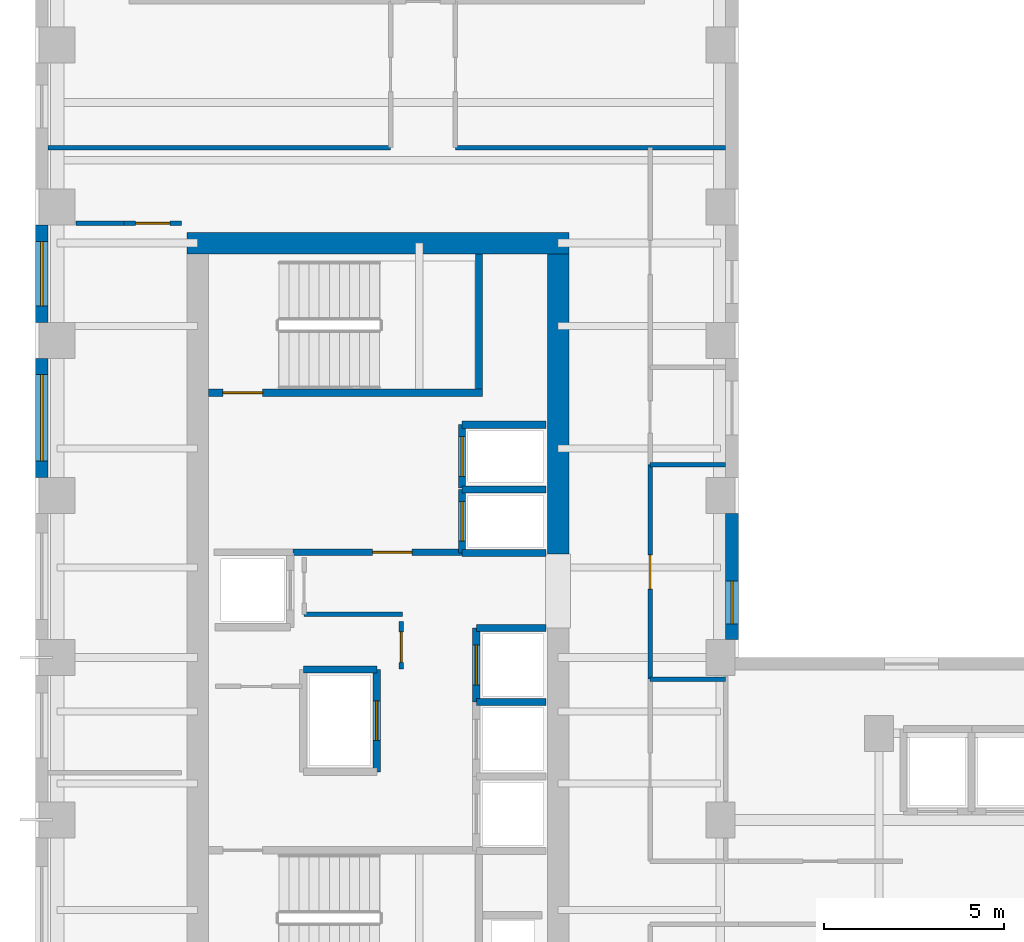
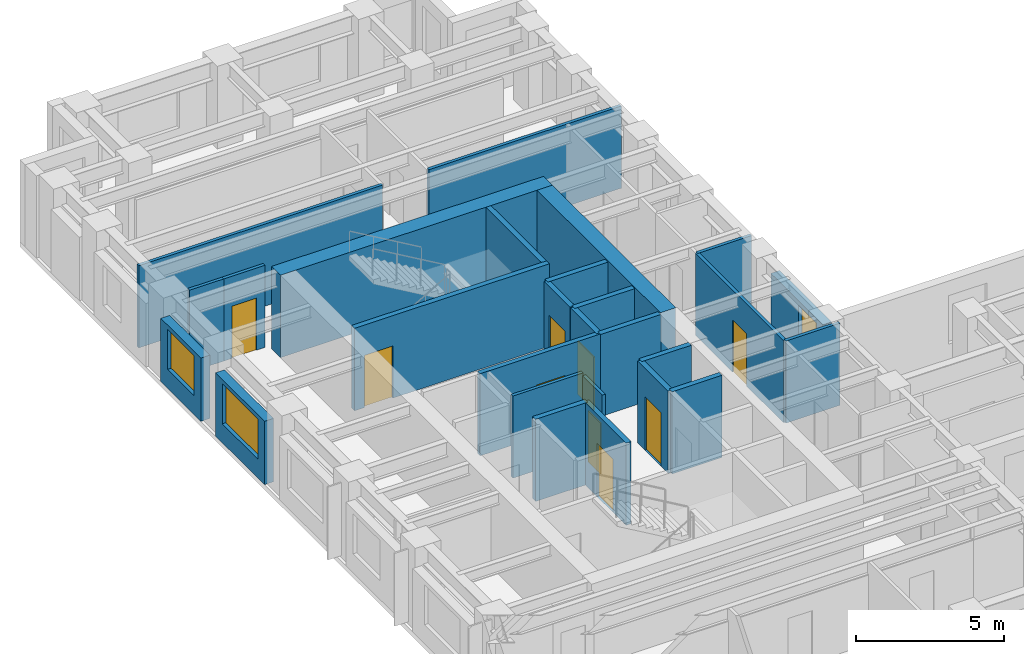
# One storey, part 5 of 12: 27 walls, 9 doors, 3 windows, 12 openings.
"""IFC4 building model written with IfcOpenShell, lengths in metres."""

import ifcopenshell
import ifcopenshell.guid

model = None  # the IFC model being written
_history = None  # IfcOwnerHistory: only IFC2X3 demands one
_inside = {}  # id of a spatial element -> (the spatial element, [elements in it])
_under = {}  # id of a project, library or spatial element -> (it, [spatial elements below it])
_declared = {}  # id of a project -> (the project, [libraries it declares])
_typed = {}  # id of a type object -> (the type object, [elements of that type])
_made_of = {}  # id of a material, layer set ... -> (it, [elements and type objects made of it])


def new_model(schema):
    """Start an empty IFC model of exactly this schema.

    Asked for "IFC4X3", IfcOpenShell would pick the latest addendum, in which some entities
    have other attributes; the version numbers below select the first issue.
    IFC2X3 requires an IfcOwnerHistory on every rooted entity: one is made here for all.
    """
    global model, _history
    if schema == "IFC4X3":
        model = ifcopenshell.file(schema_version=(4, 3, 0, 0))
    else:
        model = ifcopenshell.file(schema=schema)
    _inside.clear()
    _under.clear()
    _declared.clear()
    _typed.clear()
    _made_of.clear()
    _history = None
    if model.schema == "IFC2X3":
        org = make("IfcOrganization", Name="unknown")
        user = make(
            "IfcPersonAndOrganization",
            ThePerson=make("IfcPerson", FamilyName="unknown"),
            TheOrganization=org,
        )
        app = make(
            "IfcApplication",
            ApplicationDeveloper=org,
            Version="unknown",
            ApplicationFullName="unknown",
            ApplicationIdentifier="unknown",
        )
        _history = make(
            "IfcOwnerHistory",
            OwningUser=user,
            OwningApplication=app,
            ChangeAction="ADDED",
            CreationDate=0,
        )
    return model


def make(cls, **values):
    """One entity of the class cls with the attributes given. An attribute that is None is left unset."""
    return model.create_entity(
        cls, **{name: value for name, value in values.items() if value is not None}
    )


def rooted(cls, **values):
    """An entity with a GlobalId (a new one), such as an element, a storey or a relation."""
    return make(cls, GlobalId=ifcopenshell.guid.new(), OwnerHistory=_history, **values)


def si_unit(unit_type, name, prefix=None):
    """IfcSIUnit, for example si_unit("LENGTHUNIT", "METRE", prefix="MILLI")."""
    return make("IfcSIUnit", UnitType=unit_type, Prefix=prefix, Name=name)


def assignment(units):
    """IfcUnitAssignment: the units of a project."""
    return None if units is None else make("IfcUnitAssignment", Units=units)


def point(xyz):
    """IfcCartesianPoint."""
    return None if xyz is None else make("IfcCartesianPoint", Coordinates=xyz)


def direction(xyz):
    """IfcDirection."""
    return None if xyz is None else make("IfcDirection", DirectionRatios=xyz)


def frame(location, z_axis=None, x_axis=None):
    """IfcAxis2Placement3D, a coordinate frame: its origin and axes. An axis left out is left unset."""
    return make(
        "IfcAxis2Placement3D",
        Location=point(location),
        Axis=direction(z_axis),
        RefDirection=direction(x_axis),
    )


def frame_2d(location, x_axis=None):
    """IfcAxis2Placement2D, a coordinate frame in the plane: its origin and x axis."""
    return make(
        "IfcAxis2Placement2D", Location=point(location), RefDirection=direction(x_axis)
    )


def origin():
    """The frame at (0, 0, 0) with its axes left unset."""
    return frame((0.0, 0.0, 0.0))


def place(relative_to, where):
    """IfcLocalPlacement: puts the frame where relative to a parent placement (None: the world)."""
    return make(
        "IfcLocalPlacement", PlacementRelTo=relative_to, RelativePlacement=where
    )


def context(
    kind, dimensions, precision=None, world=None, true_north=None, identifier=None
):
    """IfcGeometricRepresentationContext, for example the 3D "Model" context."""
    return make(
        "IfcGeometricRepresentationContext",
        ContextIdentifier=identifier,
        ContextType=kind,
        CoordinateSpaceDimension=dimensions,
        Precision=precision,
        WorldCoordinateSystem=world,
        TrueNorth=true_north,
    )


def subcontext(parent, identifier, kind, view, scale=None):
    """IfcGeometricRepresentationSubContext, for example "Body" below "Model"."""
    return make(
        "IfcGeometricRepresentationSubContext",
        ContextIdentifier=identifier,
        ContextType=kind,
        ParentContext=parent,
        TargetScale=scale,
        TargetView=view,
    )


def project(units=None, contexts=None):
    """IfcProject with its units and contexts."""
    return rooted(
        "IfcProject",
        Name="project",
        RepresentationContexts=contexts,
        UnitsInContext=assignment(units),
    )


def spatial(cls, under=None, at=None, **own):
    """A site, building, storey or space (cls), placed at a placement, below another one or the project."""
    s = rooted(cls, ObjectPlacement=at, **own)
    if under is not None:
        _under.setdefault(under.id(), (under, []))[1].append(s)
    return s


def profile(cls, at=None, kind="AREA", **sizes):
    """A parametric profile (cls). Its sizes go by their IFC names, for example OverallWidth=200.0."""
    return make(cls, ProfileType=kind, Position=at, **sizes)


def rectangle(**sizes):
    """IfcRectangleProfileDef."""
    return profile("IfcRectangleProfileDef", **sizes)


def extrude(swept, where, along, depth):
    """IfcExtrudedAreaSolid: the profile swept, set in the frame where, extruded along a direction by depth."""
    return make(
        "IfcExtrudedAreaSolid",
        SweptArea=swept,
        Position=where,
        ExtrudedDirection=direction(along),
        Depth=depth,
    )


def shape(context_of_items, identifier, shape_type, items):
    """IfcShapeRepresentation: the items that make up one representation, for example the "Body"."""
    return make(
        "IfcShapeRepresentation",
        ContextOfItems=context_of_items,
        RepresentationIdentifier=identifier,
        RepresentationType=shape_type,
        Items=items,
    )


def source(mapping_origin, context_of_items, identifier, shape_type, items):
    """IfcRepresentationMap: a shape defined once, which mapped items show again and again."""
    return make(
        "IfcRepresentationMap",
        MappingOrigin=mapping_origin,
        MappedRepresentation=shape(context_of_items, identifier, shape_type, items),
    )


def transform(
    local_origin,
    x_axis=None,
    y_axis=None,
    z_axis=None,
    scale=None,
    scale2=None,
    scale3=None,
    uniform=True,
):
    """IfcCartesianTransformationOperator3D, or its non-uniform kind. x_axis, y_axis, z_axis: its Axis1, 2, 3."""
    if uniform:
        return make(
            "IfcCartesianTransformationOperator3D",
            Axis1=direction(x_axis),
            Axis2=direction(y_axis),
            LocalOrigin=point(local_origin),
            Scale=scale,
            Axis3=direction(z_axis),
        )
    return make(
        "IfcCartesianTransformationOperator3DnonUniform",
        Axis1=direction(x_axis),
        Axis2=direction(y_axis),
        LocalOrigin=point(local_origin),
        Scale=scale,
        Axis3=direction(z_axis),
        Scale2=scale2,
        Scale3=scale3,
    )


def mapped(mapping_source, mapping_target):
    """IfcMappedItem: shows the shape of a source again, moved by a transform."""
    return make(
        "IfcMappedItem", MappingSource=mapping_source, MappingTarget=mapping_target
    )


def material(Name=None, Category=None):
    """IfcMaterial."""
    return make("IfcMaterial", Name=Name, Category=Category)


def layer(
    of_material, thickness, ventilated=None, Name=None, Category=None, Priority=None
):
    """IfcMaterialLayer: one layer of a wall or slab, of a material (None: an air gap)."""
    return make(
        "IfcMaterialLayer",
        Material=of_material,
        LayerThickness=thickness,
        IsVentilated=ventilated,
        Name=Name,
        Category=Category,
        Priority=Priority,
    )


def layer_set(layers, Name=None):
    """IfcMaterialLayerSet."""
    return make("IfcMaterialLayerSet", MaterialLayers=layers, LayerSetName=Name)


def made_of(thing, what):
    """Note that an element or type object is made of a material, layer set ...; save() writes the relation."""
    if what is not None:
        _made_of.setdefault(what.id(), (what, []))[1].append(thing)
    return thing


def type_object(cls, material=None, **own):
    """A type object (cls), such as IfcWallType, which elements share."""
    return made_of(rooted(cls, **own), material)


def element(
    cls,
    number,
    at=None,
    inside=None,
    cuts=None,
    type_object=None,
    material=None,
    context=None,
    identifier="Body",
    shape_type=None,
    held_by="IfcProductDefinitionShape",
    body=None,
    shapes=None,
    **own,
):
    """One element of the class cls, such as IfcWall. Its Tag is "e" and its number.

    at: its placement. inside: the storey or other place that contains it. cuts: it is an
    opening in that element (IfcRelVoidsElement). A single representation is given by context,
    identifier, shape_type and body (its items); several are given by shapes. held_by: the class
    of the entity that holds the representations. save() writes the other relations.
    """
    e = rooted(cls, Tag="e%d" % number, ObjectPlacement=at, **own)
    if body is not None:
        shapes = [shape(context, identifier, shape_type, body)]
    if shapes is not None:
        e.Representation = make(held_by, Representations=shapes)
    if inside is not None:
        _inside.setdefault(inside.id(), (inside, []))[1].append(e)
    if cuts is not None:
        rooted(
            "IfcRelVoidsElement", RelatingBuildingElement=cuts, RelatedOpeningElement=e
        )
    if type_object is not None:
        _typed.setdefault(type_object.id(), (type_object, []))[1].append(e)
    return made_of(e, material)


def fill(opening, filler):
    """IfcRelFillsElement: the door or window that sits in an opening."""
    return rooted(
        "IfcRelFillsElement",
        RelatingOpeningElement=opening,
        RelatedBuildingElement=filler,
    )


def aggregate(whole, parts):
    """IfcRelAggregates: a whole, such as a stair, and the parts it consists of."""
    return rooted("IfcRelAggregates", RelatingObject=whole, RelatedObjects=parts)


def save(model, path):
    """Write the relations noted so far, then the file.

    IfcRelAggregates (storeys below a building ...), IfcRelContainedInSpatialStructure (elements
    in a storey), IfcRelDefinesByType, IfcRelAssociatesMaterial and IfcRelDeclares: one each for
    every whole, place, type object, material and project.
    """
    for whole, parts in _under.values():
        aggregate(whole, parts)
    for where, things in _inside.values():
        rooted(
            "IfcRelContainedInSpatialStructure",
            RelatedElements=things,
            RelatingStructure=where,
        )
    for kind, things in _typed.values():
        rooted("IfcRelDefinesByType", RelatedObjects=things, RelatingType=kind)
    for what, things in _made_of.values():
        rooted("IfcRelAssociatesMaterial", RelatedObjects=things, RelatingMaterial=what)
    for by, libraries in _declared.values():
        rooted("IfcRelDeclares", RelatingContext=by, RelatedDefinitions=libraries)
    model.write(path)


model = new_model("IFC4")

# Units and contexts
model_context = context("Model", 3, precision=1e-05, world=origin(), true_north=direction((0.0, 1.0)))
body_context = subcontext(model_context, "Body", "Model", "MODEL_VIEW")
ifc_project = project(units=[si_unit("LENGTHUNIT", "METRE"), si_unit("AREAUNIT", "SQUARE_METRE"), si_unit("VOLUMEUNIT", "CUBIC_METRE"), si_unit("PLANEANGLEUNIT", "RADIAN"), si_unit("MASSUNIT", "GRAM", prefix="KILO")], contexts=[model_context])

# Site, building, storey
site_placement = place(None, origin())
site = spatial("IfcSite", under=ifc_project, at=site_placement, CompositionType="ELEMENT")
building_placement = place(site_placement, origin())
building = spatial("IfcBuilding", under=site, at=building_placement, Name="Kharzan Plaza Tower", CompositionType="ELEMENT")
storey_placement = place(building_placement, frame((0.0, 0.0, 164.699951171875)))
storey = spatial("IfcBuildingStorey", under=building, at=storey_placement, Name="L44", CompositionType="ELEMENT", Elevation=164.699951171875)

# Wall, opening, window
ifc_material_1 = material(Name="Concrete C40/50", Category="concrete")
ifc_layer_1 = layer(ifc_material_1, 0.35009765625)
ifc_layer_set_1 = layer_set([ifc_layer_1], Name="Concrete C40/50")
wall_type_1 = type_object("IfcWallType", Name="WL-EXT-MAS-Z3", PredefinedType="SOLIDWALL", material=ifc_layer_set_1)
wall_1_placement = place(storey_placement, frame((0.175048828125, 30.001953125, 0.0), z_axis=(0.0, 0.0, 1.0), x_axis=(0.0, -1.0, 0.0)))
wall_1 = element("IfcWall", 1, at=wall_1_placement, inside=storey, type_object=wall_type_1, Name="L44 Masonry-Frame Exterior Wall 12", PredefinedType="SOLIDWALL", context=body_context, shape_type="SweptSolid", body=[
    extrude(rectangle(XDim=2.703857421875, YDim=0.35009765625, at=frame_2d((1.35205078125, 0.0))), origin(), (0.0, 0.0, 1.0), 2.612060546875),
])
opening_1_placement = place(wall_1_placement, frame((0.451904296875, 0.0, 0.780029296875)))
opening_1 = element("IfcOpeningElement", 2, at=opening_1_placement, cuts=wall_1, Name="Opening W1", PredefinedType="OPENING", context=body_context, shape_type="SweptSolid", body=[
    extrude(rectangle(XDim=1.800048828125, YDim=1.652099609375, at=frame_2d((0.89990234375, 0.826171875))), frame((0.0, 0.18505859375, 0.0), z_axis=(0.0, -1.0, 0.0), x_axis=(1.0, 0.0, 0.0)), (0.0, 0.0, 1.0), 0.3701171875),
])
ifc_material_2 = material(Name="Low-E Double Glazing", Category="glass")
window_type_1 = type_object("IfcWindowType", Name="WN-REC-1800x2100", PartitioningType="SINGLE_PANEL", PredefinedType="WINDOW", material=ifc_material_2)
shared_shape_1 = source(origin(), body_context, "Body", "SweptSolid", [
    extrude(rectangle(XDim=1.800048828125, YDim=1.652099609375, at=frame_2d((0.89990234375, 0.826171875))), frame((0.0, 0.030029296875, 0.0), z_axis=(0.0, -1.0, 0.0), x_axis=(1.0, 0.0, 0.0)), (0.0, 0.0, 1.0), 0.06005859375),
])
window_1_placement = place(opening_1_placement, origin())
window_1 = element("IfcWindow", 3, at=window_1_placement, inside=storey, type_object=window_type_1, Name="L44 Recessed Solar-Control Window 12-1", OverallHeight=1.652099609375, OverallWidth=1.800048828125, PartitioningType="SINGLE_PANEL", PredefinedType="WINDOW", context=body_context, shape_type="MappedRepresentation", body=[
    mapped(shared_shape_1, transform((0.0, 0.0, 0.0), x_axis=(1.0, 0.0, 0.0), y_axis=(0.0, 1.0, 0.0), z_axis=(0.0, 0.0, 1.0))),
])
fill(opening_1, window_1)

wall_2_placement = place(storey_placement, frame((0.175048828125, 26.302001953125, 0.0), z_axis=(0.0, 0.0, 1.0), x_axis=(0.0, -1.0, 0.0)))
wall_2 = element("IfcWall", 4, at=wall_2_placement, inside=storey, type_object=wall_type_1, Name="L44 Masonry-Frame Exterior Wall 13", PredefinedType="SOLIDWALL", context=body_context, shape_type="SweptSolid", body=[
    extrude(rectangle(XDim=3.303955078125, YDim=0.35009765625, at=frame_2d((1.65185546875, 0.0))), origin(), (0.0, 0.0, 1.0), 2.612060546875),
])
opening_2_placement = place(wall_2_placement, frame((0.451904296875, 0.0, 0.780029296875)))
opening_2 = element("IfcOpeningElement", 5, at=opening_2_placement, cuts=wall_2, Name="Opening W2", PredefinedType="OPENING", context=body_context, shape_type="SweptSolid", body=[
    extrude(rectangle(XDim=2.39990234375, YDim=1.652099609375, at=frame_2d((1.199951171875, 0.826171875))), frame((0.0, 0.18505859375, 0.0), z_axis=(0.0, -1.0, 0.0), x_axis=(1.0, 0.0, 0.0)), (0.0, 0.0, 1.0), 0.3701171875),
])
window_type_2 = type_object("IfcWindowType", Name="WN-REC-2400x2100", PartitioningType="SINGLE_PANEL", PredefinedType="WINDOW", material=ifc_material_2)
shared_shape_2 = source(origin(), body_context, "Body", "SweptSolid", [
    extrude(rectangle(XDim=2.39990234375, YDim=1.652099609375, at=frame_2d((1.199951171875, 0.826171875))), frame((0.0, 0.030029296875, 0.0), z_axis=(0.0, -1.0, 0.0), x_axis=(1.0, 0.0, 0.0)), (0.0, 0.0, 1.0), 0.06005859375),
])
window_2_placement = place(opening_2_placement, origin())
window_2 = element("IfcWindow", 6, at=window_2_placement, inside=storey, type_object=window_type_2, Name="L44 Wide Recessed Solar-Control Window 13-1", OverallHeight=1.652099609375, OverallWidth=2.39990234375, PartitioningType="SINGLE_PANEL", PredefinedType="WINDOW", context=body_context, shape_type="MappedRepresentation", body=[
    mapped(shared_shape_2, transform((0.0, 0.0, 0.0), x_axis=(1.0, 0.0, 0.0), y_axis=(0.0, 1.0, 0.0), z_axis=(0.0, 0.0, 1.0))),
])
fill(opening_2, window_2)

wall_3_placement = place(storey_placement, frame((19.324951171875, 18.498046875, 0.0), z_axis=(0.0, 0.0, 1.0), x_axis=(0.0, 1.0, 0.0)))
wall_3 = element("IfcWall", 7, at=wall_3_placement, inside=storey, type_object=wall_type_1, Name="L44 Masonry-Frame Exterior Wall 47", PredefinedType="SOLIDWALL", context=body_context, shape_type="SweptSolid", body=[
    extrude(rectangle(XDim=3.50390625, YDim=0.35009765625, at=frame_2d((1.751953125, 0.0))), origin(), (0.0, 0.0, 1.0), 2.612060546875),
])
opening_3_placement = place(wall_3_placement, frame((0.4326171875, 0.0, 0.780029296875)))
opening_3 = element("IfcOpeningElement", 8, at=opening_3_placement, cuts=wall_3, Name="Opening W3", PredefinedType="OPENING", context=body_context, shape_type="SweptSolid", body=[
    extrude(rectangle(XDim=1.199951171875, YDim=1.652099609375, at=frame_2d((0.60009765625, 0.826171875))), frame((0.0, 0.18505859375, 0.0), z_axis=(0.0, -1.0, 0.0), x_axis=(1.0, 0.0, 0.0)), (0.0, 0.0, 1.0), 0.3701171875),
])
window_type_3 = type_object("IfcWindowType", Name="WN-REC-1200x2100", PartitioningType="SINGLE_PANEL", PredefinedType="WINDOW", material=ifc_material_2)
shared_shape_3 = source(origin(), body_context, "Body", "SweptSolid", [
    extrude(rectangle(XDim=1.199951171875, YDim=1.652099609375, at=frame_2d((0.60009765625, 0.826171875))), frame((0.0, 0.030029296875, 0.0), z_axis=(0.0, -1.0, 0.0), x_axis=(1.0, 0.0, 0.0)), (0.0, 0.0, 1.0), 0.06005859375),
])
window_3_placement = place(opening_3_placement, origin())
window_3 = element("IfcWindow", 9, at=window_3_placement, inside=storey, type_object=window_type_3, Name="L44 Recessed Solar-Control Window 47-1", OverallHeight=1.652099609375, OverallWidth=1.199951171875, PartitioningType="SINGLE_PANEL", PredefinedType="WINDOW", context=body_context, shape_type="MappedRepresentation", body=[
    mapped(shared_shape_3, transform((0.0, 0.0, 0.0), x_axis=(1.0, 0.0, 0.0), y_axis=(0.0, 1.0, 0.0), z_axis=(0.0, 0.0, 1.0))),
])
fill(opening_3, window_3)

# Wall, opening, door
ifc_layer_2 = layer(ifc_material_1, 0.179931640625)
ifc_layer_set_2 = layer_set([ifc_layer_2], Name="Concrete C40/50")
wall_type_2 = type_object("IfcWallType", Name="WL-INT-FIRE-180", PredefinedType="PARTITIONING", material=ifc_layer_set_2)
wall_4_placement = place(storey_placement, frame((7.14990234375, 20.919921875, 0.0), z_axis=(0.0, 0.0, 1.0), x_axis=(1.0, 0.0, 0.0)))
wall_4 = element("IfcWall", 10, at=wall_4_placement, inside=storey, type_object=wall_type_2, Name="L44 Interior Partition CA-FF-S", PredefinedType="PARTITIONING", context=body_context, shape_type="SweptSolid", body=[
    extrude(rectangle(XDim=4.68017578125, YDim=0.179931640625, at=frame_2d((2.340087890625, 0.0))), origin(), (0.0, 0.0, 1.0), 3.385009765625),
])
opening_4_placement = place(wall_4_placement, frame((2.199951171875, 0.0, 0.0)))
opening_4 = element("IfcOpeningElement", 11, at=opening_4_placement, cuts=wall_4, Name="Opening FD1", PredefinedType="OPENING", context=body_context, shape_type="SweptSolid", body=[
    extrude(rectangle(XDim=1.10009765625, YDim=2.14990234375, at=frame_2d((0.550048828125, 1.074951171875))), frame((0.0, 0.099853515625, 0.0), z_axis=(0.0, -1.0, 0.0), x_axis=(1.0, 0.0, 0.0)), (0.0, 0.0, 1.0), 0.199951171875),
])
ifc_material_3 = material(Name="Fire-Rated Acoustic Vision-Panel Steel", Category="steel")
door_type_1 = type_object("IfcDoorType", Name="DR-FIRE-LOBBY", OperationType="NOTDEFINED", PredefinedType="DOOR", material=ifc_material_3)
shared_shape_4 = source(origin(), body_context, "Body", "SweptSolid", [
    extrude(rectangle(XDim=1.10009765625, YDim=2.14990234375, at=frame_2d((0.550048828125, 1.074951171875))), frame((0.0, 0.02490234375, 0.0), z_axis=(0.0, -1.0, 0.0), x_axis=(1.0, 0.0, 0.0)), (0.0, 0.0, 1.0), 0.050048828125),
])
door_1_placement = place(opening_4_placement, origin())
door_1 = element("IfcDoor", 12, at=door_1_placement, inside=storey, type_object=door_type_1, Name="L44 Firefighting Lobby Door", OperationType="SINGLE_SWING_LEFT", OverallHeight=2.14990234375, OverallWidth=1.10009765625, PredefinedType="DOOR", context=body_context, shape_type="MappedRepresentation", body=[
    mapped(shared_shape_4, transform((0.0, 0.0, 0.0), x_axis=(1.0, 0.0, 0.0), y_axis=(0.0, 1.0, 0.0), z_axis=(0.0, 0.0, 1.0))),
])
fill(opening_4, door_1)

ifc_material_4 = material(Name="Fire-Rated Gypsum Board Partition", Category="gypsum")
ifc_layer_3 = layer(ifc_material_4, 0.125)
ifc_layer_set_3 = layer_set([ifc_layer_3], Name="Fire-Rated Gypsum Board Partition")
wall_type_3 = type_object("IfcWallType", Name="WL-INT-PART-125", PredefinedType="PARTITIONING", material=ifc_layer_set_3)
wall_5_placement = place(storey_placement, frame((10.14990234375, 17.679931640625, 0.0), z_axis=(0.0, 0.0, 1.0), x_axis=(0.0, 1.0, 0.0)))
wall_5 = element("IfcWall", 13, at=wall_5_placement, inside=storey, type_object=wall_type_3, Name="L44 Interior Partition CA-K2A", PredefinedType="PARTITIONING", context=body_context, shape_type="SweptSolid", body=[
    extrude(rectangle(XDim=1.320068359375, YDim=0.125, at=frame_2d((0.66015625, 0.0))), origin(), (0.0, 0.0, 1.0), 3.385009765625),
])
opening_5_placement = place(wall_5_placement, frame((0.18505859375, 0.0, 0.0)))
opening_5 = element("IfcOpeningElement", 14, at=opening_5_placement, cuts=wall_5, Name="Opening RD1", PredefinedType="OPENING", context=body_context, shape_type="SweptSolid", body=[
    extrude(rectangle(XDim=0.85009765625, YDim=2.10009765625, at=frame_2d((0.425048828125, 1.050048828125))), frame((0.0, 0.072509765625, 0.0), z_axis=(0.0, -1.0, 0.0), x_axis=(1.0, 0.0, 0.0)), (0.0, 0.0, 1.0), 0.14501953125),
])
ifc_material_5 = material(Name="Powder-Coated Fire-Rated Steel", Category="steel")
door_type_2 = type_object("IfcDoorType", Name="DR-RISER-900", OperationType="NOTDEFINED", PredefinedType="DOOR", material=ifc_material_5)
shared_shape_5 = source(origin(), body_context, "Body", "SweptSolid", [
    extrude(rectangle(XDim=0.85009765625, YDim=2.10009765625, at=frame_2d((0.425048828125, 1.050048828125))), frame((0.0, 0.02490234375, 0.0), z_axis=(0.0, -1.0, 0.0), x_axis=(1.0, 0.0, 0.0)), (0.0, 0.0, 1.0), 0.050048828125),
])
door_2_placement = place(opening_5_placement, origin())
door_2 = element("IfcDoor", 15, at=door_2_placement, inside=storey, type_object=door_type_2, Name="L44 Core Mechanical Store Door", OperationType="SINGLE_SWING_RIGHT", OverallHeight=2.10009765625, OverallWidth=0.85009765625, PredefinedType="DOOR", context=body_context, shape_type="MappedRepresentation", body=[
    mapped(shared_shape_5, transform((0.0, 0.0, 0.0), x_axis=(1.0, 0.0, 0.0), y_axis=(0.0, 1.0, 0.0), z_axis=(0.0, 0.0, 1.0))),
])
fill(opening_5, door_2)

wall_6_placement = place(storey_placement, frame((17.050048828125, 17.39990234375, 0.0), z_axis=(0.0, 0.0, 1.0), x_axis=(0.0, 1.0, 0.0)))
wall_6 = element("IfcWall", 16, at=wall_6_placement, inside=storey, type_object=wall_type_3, Name="L44 Interior Partition SH-AEWN2", PredefinedType="PARTITIONING", context=body_context, shape_type="SweptSolid", body=[
    extrude(rectangle(XDim=5.9501953125, YDim=0.125, at=frame_2d((2.97509765625, 0.0))), origin(), (0.0, 0.0, 1.0), 3.385009765625),
])
opening_6_placement = place(wall_6_placement, frame((2.5, 0.0, 0.0)))
opening_6 = element("IfcOpeningElement", 17, at=opening_6_placement, cuts=wall_6, Name="Opening OD1", PredefinedType="OPENING", context=body_context, shape_type="SweptSolid", body=[
    extrude(rectangle(XDim=0.949951171875, YDim=2.14990234375, at=frame_2d((0.47509765625, 1.074951171875))), frame((0.0, 0.072509765625, 0.0), z_axis=(0.0, -1.0, 0.0), x_axis=(1.0, 0.0, 0.0)), (0.0, 0.0, 1.0), 0.14501953125),
])
ifc_material_6 = material(Name="Acoustic Solid-Core Stained Oak", Category="timber")
door_type_3 = type_object("IfcDoorType", Name="DR-OFF-SINGLE", OperationType="NOTDEFINED", PredefinedType="DOOR", material=ifc_material_6)
shared_shape_6 = source(origin(), body_context, "Body", "SweptSolid", [
    extrude(rectangle(XDim=0.949951171875, YDim=2.14990234375, at=frame_2d((0.47509765625, 1.074951171875))), frame((0.0, 0.02490234375, 0.0), z_axis=(0.0, -1.0, 0.0), x_axis=(1.0, 0.0, 0.0)), (0.0, 0.0, 1.0), 0.050048828125),
])
door_3_placement = place(opening_6_placement, origin())
door_3 = element("IfcDoor", 18, at=door_3_placement, inside=storey, type_object=door_type_3, Name="L44 Slot Studio Door", OperationType="SINGLE_SWING_RIGHT", OverallHeight=2.14990234375, OverallWidth=0.949951171875, PredefinedType="DOOR", context=body_context, shape_type="MappedRepresentation", body=[
    mapped(shared_shape_6, transform((0.0, 0.0, 0.0), x_axis=(1.0, 0.0, 0.0), y_axis=(0.0, 1.0, 0.0), z_axis=(0.0, 0.0, 1.0))),
])
fill(opening_6, door_3)

wall_7_placement = place(storey_placement, frame((2.449951171875, 30.050048828125, 0.0), z_axis=(0.0, 0.0, 1.0), x_axis=(1.0, 0.0, 0.0)))
wall_7 = element("IfcWall", 19, at=wall_7_placement, inside=storey, type_object=wall_type_3, Name="L44 Interior Partition SH-RWND", PredefinedType="PARTITIONING", context=body_context, shape_type="SweptSolid", body=[
    extrude(rectangle(XDim=1.60009765625, YDim=0.125, at=frame_2d((0.800048828125, 0.0))), origin(), (0.0, 0.0, 1.0), 3.385009765625),
])
opening_7_placement = place(wall_7_placement, frame((0.324951171875, 0.0, 0.0)))
opening_7 = element("IfcOpeningElement", 20, at=opening_7_placement, cuts=wall_7, Name="Opening OD1", PredefinedType="OPENING", context=body_context, shape_type="SweptSolid", body=[
    extrude(rectangle(XDim=0.949951171875, YDim=2.14990234375, at=frame_2d((0.47509765625, 1.074951171875))), frame((0.0, 0.072509765625, 0.0), z_axis=(0.0, -1.0, 0.0), x_axis=(1.0, 0.0, 0.0)), (0.0, 0.0, 1.0), 0.14501953125),
])
door_4_placement = place(opening_7_placement, origin())
door_4 = element("IfcDoor", 21, at=door_4_placement, inside=storey, type_object=door_type_3, Name="L44 West Office 2 Door", OperationType="SINGLE_SWING_LEFT", OverallHeight=2.14990234375, OverallWidth=0.949951171875, PredefinedType="DOOR", context=body_context, shape_type="MappedRepresentation", body=[
    mapped(shared_shape_6, transform((0.0, 0.0, 0.0), x_axis=(1.0, 0.0, 0.0), y_axis=(0.0, 1.0, 0.0), z_axis=(0.0, 0.0, 1.0))),
])
fill(opening_7, door_4)

ifc_layer_4 = layer(ifc_material_1, 0.199951171875)
ifc_layer_set_4 = layer_set([ifc_layer_4], Name="Concrete C40/50")
wall_type_4 = type_object("IfcWallType", Name="WL-INT-SHAFT-200", PredefinedType="PARTITIONING", material=ifc_layer_set_4)
wall_8_placement = place(storey_placement, frame((11.830078125, 20.89990234375, 0.0), z_axis=(0.0, 0.0, 1.0), x_axis=(0.0, 1.0, 0.0)))
wall_8 = element("IfcWall", 22, at=wall_8_placement, inside=storey, type_object=wall_type_4, Name="L44 Interior Partition SHF-FFL-1-W", PredefinedType="PARTITIONING", context=body_context, shape_type="SweptSolid", body=[
    extrude(rectangle(XDim=1.760009765625, YDim=0.199951171875, at=frame_2d((0.8798828125, 0.0))), origin(), (0.0, 0.0, 1.0), 3.385009765625),
])
opening_8_placement = place(wall_8_placement, frame((0.330078125, 0.0, 0.0)))
opening_8 = element("IfcOpeningElement", 23, at=opening_8_placement, cuts=wall_8, Name="Opening LD", PredefinedType="OPENING", context=body_context, shape_type="SweptSolid", body=[
    extrude(rectangle(XDim=1.10009765625, YDim=2.199951171875, at=frame_2d((0.550048828125, 1.10009765625))), frame((0.0, 0.10986328125, 0.0), z_axis=(0.0, -1.0, 0.0), x_axis=(1.0, 0.0, 0.0)), (0.0, 0.0, 1.0), 0.219970703125),
])
ifc_material_7 = material(Name="Brushed Stainless Steel", Category="steel")
door_type_4 = type_object("IfcDoorType", Name="DR-LIFT-SLIDE", OperationType="SLIDING_TO_LEFT", PredefinedType="DOOR", material=ifc_material_7)
shared_shape_7 = source(origin(), body_context, "Body", "SweptSolid", [
    extrude(rectangle(XDim=1.10009765625, YDim=2.199951171875, at=frame_2d((0.550048828125, 1.10009765625))), frame((0.0, 0.02490234375, 0.0), z_axis=(0.0, -1.0, 0.0), x_axis=(1.0, 0.0, 0.0)), (0.0, 0.0, 1.0), 0.050048828125),
])
door_5_placement = place(opening_8_placement, origin())
door_5 = element("IfcDoor", 24, at=door_5_placement, inside=storey, type_object=door_type_4, Name="L44 Firefighting Lift FFL-1 Sliding Landing Door", OperationType="SLIDING_TO_LEFT", OverallHeight=2.199951171875, OverallWidth=1.10009765625, PredefinedType="DOOR", context=body_context, shape_type="MappedRepresentation", body=[
    mapped(shared_shape_7, transform((0.0, 0.0, 0.0), x_axis=(1.0, 0.0, 0.0), y_axis=(0.0, 1.0, 0.0), z_axis=(0.0, 0.0, 1.0))),
])
fill(opening_8, door_5)

wall_9_placement = place(storey_placement, frame((11.830078125, 22.699951171875, 0.0), z_axis=(0.0, 0.0, 1.0), x_axis=(0.0, 1.0, 0.0)))
wall_9 = element("IfcWall", 25, at=wall_9_placement, inside=storey, type_object=wall_type_4, Name="L44 Interior Partition SHF-FFL-2-W", PredefinedType="PARTITIONING", context=body_context, shape_type="SweptSolid", body=[
    extrude(rectangle(XDim=1.760009765625, YDim=0.199951171875, at=frame_2d((0.8798828125, 0.0))), origin(), (0.0, 0.0, 1.0), 3.385009765625),
])
opening_9_placement = place(wall_9_placement, frame((0.330078125, 0.0, 0.0)))
opening_9 = element("IfcOpeningElement", 26, at=opening_9_placement, cuts=wall_9, Name="Opening LD", PredefinedType="OPENING", context=body_context, shape_type="SweptSolid", body=[
    extrude(rectangle(XDim=1.10009765625, YDim=2.199951171875, at=frame_2d((0.550048828125, 1.10009765625))), frame((0.0, 0.10986328125, 0.0), z_axis=(0.0, -1.0, 0.0), x_axis=(1.0, 0.0, 0.0)), (0.0, 0.0, 1.0), 0.219970703125),
])
door_6_placement = place(opening_9_placement, origin())
door_6 = element("IfcDoor", 27, at=door_6_placement, inside=storey, type_object=door_type_4, Name="L44 Firefighting Lift FFL-2 Sliding Landing Door", OperationType="SLIDING_TO_LEFT", OverallHeight=2.199951171875, OverallWidth=1.10009765625, PredefinedType="DOOR", context=body_context, shape_type="MappedRepresentation", body=[
    mapped(shared_shape_7, transform((0.0, 0.0, 0.0), x_axis=(1.0, 0.0, 0.0), y_axis=(0.0, 1.0, 0.0), z_axis=(0.0, 0.0, 1.0))),
])
fill(opening_9, door_6)

wall_10_placement = place(storey_placement, frame((12.22998046875, 16.77001953125, 0.0), z_axis=(0.0, 0.0, 1.0), x_axis=(0.0, 1.0, 0.0)))
wall_10 = element("IfcWall", 28, at=wall_10_placement, inside=storey, type_object=wall_type_4, Name="L44 Interior Partition SHF-PL-H3-W", PredefinedType="PARTITIONING", context=body_context, shape_type="SweptSolid", body=[
    extrude(rectangle(XDim=2.050048828125, YDim=0.199951171875, at=frame_2d((1.02490234375, 0.0))), origin(), (0.0, 0.0, 1.0), 3.385009765625),
])
opening_10_placement = place(wall_10_placement, frame((0.47509765625, 0.0, 0.0)))
opening_10 = element("IfcOpeningElement", 29, at=opening_10_placement, cuts=wall_10, Name="Opening LD", PredefinedType="OPENING", context=body_context, shape_type="SweptSolid", body=[
    extrude(rectangle(XDim=1.10009765625, YDim=2.199951171875, at=frame_2d((0.550048828125, 1.10009765625))), frame((0.0, 0.10986328125, 0.0), z_axis=(0.0, -1.0, 0.0), x_axis=(1.0, 0.0, 0.0)), (0.0, 0.0, 1.0), 0.219970703125),
])
door_7_placement = place(opening_10_placement, origin())
door_7 = element("IfcDoor", 30, at=door_7_placement, inside=storey, type_object=door_type_4, Name="L44 High-Rise Passenger Lift PL-H3 Sliding Landing Door", OperationType="SLIDING_TO_LEFT", OverallHeight=2.199951171875, OverallWidth=1.10009765625, PredefinedType="DOOR", context=body_context, shape_type="MappedRepresentation", body=[
    mapped(shared_shape_7, transform((0.0, 0.0, 0.0), x_axis=(1.0, 0.0, 0.0), y_axis=(0.0, 1.0, 0.0), z_axis=(0.0, 0.0, 1.0))),
])
fill(opening_10, door_7)

wall_11_placement = place(storey_placement, frame((9.469970703125, 14.830078125, 0.0), z_axis=(0.0, 0.0, 1.0), x_axis=(0.0, 1.0, 0.0)))
wall_11 = element("IfcWall", 31, at=wall_11_placement, inside=storey, type_object=wall_type_4, Name="L44 Interior Partition SHF-SVL-1-E", PredefinedType="PARTITIONING", context=body_context, shape_type="SweptSolid", body=[
    extrude(rectangle(XDim=2.83984375, YDim=0.199951171875, at=frame_2d((1.419921875, 0.0))), origin(), (0.0, 0.0, 1.0), 3.385009765625),
])
opening_11_placement = place(wall_11_placement, frame((0.8701171875, 0.0, 0.0)))
opening_11 = element("IfcOpeningElement", 32, at=opening_11_placement, cuts=wall_11, Name="Opening LD", PredefinedType="OPENING", context=body_context, shape_type="SweptSolid", body=[
    extrude(rectangle(XDim=1.10009765625, YDim=2.199951171875, at=frame_2d((0.550048828125, 1.10009765625))), frame((0.0, 0.10986328125, 0.0), z_axis=(0.0, -1.0, 0.0), x_axis=(1.0, 0.0, 0.0)), (0.0, 0.0, 1.0), 0.219970703125),
])
door_8_placement = place(opening_11_placement, origin())
door_8 = element("IfcDoor", 33, at=door_8_placement, inside=storey, type_object=door_type_4, Name="L44 Service Lift SVL-1 Sliding Landing Door", OperationType="SLIDING_TO_LEFT", OverallHeight=2.199951171875, OverallWidth=1.10009765625, PredefinedType="DOOR", context=body_context, shape_type="MappedRepresentation", body=[
    mapped(shared_shape_7, transform((0.0, 0.0, 0.0), x_axis=(1.0, 0.0, 0.0), y_axis=(0.0, 1.0, 0.0), z_axis=(0.0, 0.0, 1.0))),
])
fill(opening_11, door_8)

ifc_material_8 = material(Name="Concrete C50/60", Category="concrete")
ifc_layer_5 = layer(ifc_material_8, 0.199951171875)
ifc_layer_set_5 = layer_set([ifc_layer_5], Name="Concrete C50/60")
wall_type_5 = type_object("IfcWallType", Name="WL-SHAFT-RC200", PredefinedType="SHEAR", material=ifc_layer_set_5)
wall_12_placement = place(storey_placement, frame((4.802001953125, 25.344970703125, 0.0), z_axis=(0.0, 0.0, 1.0), x_axis=(1.0, 0.0, 0.0)))
wall_12 = element("IfcWall", 34, at=wall_12_placement, inside=storey, type_object=wall_type_5, Name="L44 Stair ST-2 South RC Shaft Wall", PredefinedType="SHEAR", context=body_context, shape_type="SweptSolid", body=[
    extrude(rectangle(XDim=7.60302734375, YDim=0.199951171875, at=frame_2d((3.801513671875, 0.0))), origin(), (0.0, 0.0, 1.0), 3.400146484375),
])
opening_12_placement = place(wall_12_placement, frame((0.39990234375, 0.0, 0.0)))
opening_12 = element("IfcOpeningElement", 35, at=opening_12_placement, cuts=wall_12, Name="Opening SD1", PredefinedType="OPENING", context=body_context, shape_type="SweptSolid", body=[
    extrude(rectangle(XDim=1.10009765625, YDim=2.14990234375, at=frame_2d((0.550048828125, 1.074951171875))), frame((0.0, 0.10986328125, 0.0), z_axis=(0.0, -1.0, 0.0), x_axis=(1.0, 0.0, 0.0)), (0.0, 0.0, 1.0), 0.219970703125),
])
ifc_material_9 = material(Name="Fire-Rated Hollow Galvanized Steel", Category="steel")
door_type_5 = type_object("IfcDoorType", Name="DR-STAIR-FD120", OperationType="NOTDEFINED", PredefinedType="DOOR", material=ifc_material_9)
shared_shape_8 = source(origin(), body_context, "Body", "SweptSolid", [
    extrude(rectangle(XDim=1.10009765625, YDim=2.14990234375, at=frame_2d((0.550048828125, 1.074951171875))), frame((0.0, 0.02490234375, 0.0), z_axis=(0.0, -1.0, 0.0), x_axis=(1.0, 0.0, 0.0)), (0.0, 0.0, 1.0), 0.050048828125),
])
door_9_placement = place(opening_12_placement, origin())
door_9 = element("IfcDoor", 36, at=door_9_placement, inside=storey, type_object=door_type_5, Name="L44 Stair ST-2 Fire Exit Door", OperationType="SINGLE_SWING_RIGHT", OverallHeight=2.14990234375, OverallWidth=1.10009765625, PredefinedType="DOOR", context=body_context, shape_type="MappedRepresentation", body=[
    mapped(shared_shape_8, transform((0.0, 0.0, 0.0), x_axis=(1.0, 0.0, 0.0), y_axis=(0.0, 1.0, 0.0), z_axis=(0.0, 0.0, 1.0))),
])
fill(opening_12, door_9)

# Walls
shared_shape_9 = source(origin(), body_context, "Body", "SweptSolid", [
    extrude(rectangle(XDim=2.72998046875, YDim=0.125, at=frame_2d((1.364990234375, 0.0))), origin(), (0.0, 0.0, 1.0), 3.385009765625),
])
wall_13_placement = place(storey_placement, frame((7.449951171875, 19.199951171875, 0.0), z_axis=(0.0, 0.0, 1.0), x_axis=(1.0, 0.0, 0.0)))
element("IfcWall", 37, at=wall_13_placement, inside=storey, type_object=wall_type_3, Name="L44 Interior Partition CA-K2M", PredefinedType="PARTITIONING", context=body_context, shape_type="MappedRepresentation", body=[
    mapped(shared_shape_9, transform((0.0, 0.0, 0.0), x_axis=(1.0, 0.0, 0.0), y_axis=(0.0, 1.0, 0.0), z_axis=(0.0, 0.0, 1.0))),
])
shared_shape_10 = source(origin(), body_context, "Body", "SweptSolid", [
    extrude(rectangle(XDim=2.099853515625, YDim=0.125, at=frame_2d((1.0498046875, 0.0))), origin(), (0.0, 0.0, 1.0), 3.385009765625),
])
wall_14_placement = place(storey_placement, frame((17.050048828125, 17.39990234375, 0.0), z_axis=(0.0, 0.0, 1.0), x_axis=(1.0, 0.0, 0.0)))
element("IfcWall", 38, at=wall_14_placement, inside=storey, type_object=wall_type_3, Name="L44 Interior Partition SH-AEH-174", PredefinedType="PARTITIONING", context=body_context, shape_type="MappedRepresentation", body=[
    mapped(shared_shape_10, transform((0.0, 0.0, 0.0), x_axis=(1.0, 0.0, 0.0), y_axis=(0.0, 1.0, 0.0), z_axis=(0.0, 0.0, 1.0))),
])
shared_shape_11 = source(origin(), body_context, "Body", "SweptSolid", [
    extrude(rectangle(XDim=2.097900390625, YDim=0.125, at=frame_2d((1.048828125, 0.0))), origin(), (0.0, 0.0, 1.0), 3.385009765625),
])
wall_15_placement = place(storey_placement, frame((17.050048828125, 23.35009765625, 0.0), z_axis=(0.0, 0.0, 1.0), x_axis=(1.0, 0.0, 0.0)))
element("IfcWall", 39, at=wall_15_placement, inside=storey, type_object=wall_type_3, Name="L44 Interior Partition SH-AEH-233", PredefinedType="PARTITIONING", context=body_context, shape_type="MappedRepresentation", body=[
    mapped(shared_shape_11, transform((0.0, 0.0, 0.0), x_axis=(1.0, 0.0, 0.0), y_axis=(0.0, 1.0, 0.0), z_axis=(0.0, 0.0, 1.0))),
])
shared_shape_12 = source(origin(), body_context, "Body", "SweptSolid", [
    extrude(rectangle(XDim=2.33984375, YDim=0.199951171875, at=frame_2d((1.169921875, 0.0))), origin(), (0.0, 0.0, 1.0), 3.385009765625),
])
for number, where, z_axis, x_axis, name in (
    (40, (11.830078125, 22.659912109375, 0.0), (0.0, 0.0, 1.0), (1.0, 0.0, 0.0), "L44 Interior Partition SHF-FFL-1-N"),
    (41, (11.830078125, 20.89990234375, 0.0), (0.0, 0.0, 1.0), (1.0, 0.0, 0.0), "L44 Interior Partition SHF-FFL-1-S"),
    (42, (11.830078125, 24.4599609375, 0.0), (0.0, 0.0, 1.0), (1.0, 0.0, 0.0), "L44 Interior Partition SHF-FFL-2-N"),
):
    element("IfcWall", number, at=place(storey_placement, frame(where, z_axis=z_axis, x_axis=x_axis)), inside=storey, type_object=wall_type_4, Name=name, PredefinedType="PARTITIONING", context=body_context, shape_type="MappedRepresentation", body=[
        mapped(shared_shape_12, transform((0.0, 0.0, 0.0), x_axis=(1.0, 0.0, 0.0), y_axis=(0.0, 1.0, 0.0), z_axis=(0.0, 0.0, 1.0))),
    ])
shared_shape_13 = source(origin(), body_context, "Body", "SweptSolid", [
    extrude(rectangle(XDim=1.93994140625, YDim=0.199951171875, at=frame_2d((0.969970703125, 0.0))), origin(), (0.0, 0.0, 1.0), 3.385009765625),
])
for number, where, z_axis, x_axis, name in (
    (43, (12.22998046875, 16.77001953125, 0.0), (0.0, 0.0, 1.0), (1.0, 0.0, 0.0), "L44 Interior Partition SHF-PL-H2-N"),
    (44, (12.22998046875, 18.820068359375, 0.0), (0.0, 0.0, 1.0), (1.0, 0.0, 0.0), "L44 Interior Partition SHF-PL-H3-N"),
):
    element("IfcWall", number, at=place(storey_placement, frame(where, z_axis=z_axis, x_axis=x_axis)), inside=storey, type_object=wall_type_4, Name=name, PredefinedType="PARTITIONING", context=body_context, shape_type="MappedRepresentation", body=[
        mapped(shared_shape_13, transform((0.0, 0.0, 0.0), x_axis=(1.0, 0.0, 0.0), y_axis=(0.0, 1.0, 0.0), z_axis=(0.0, 0.0, 1.0))),
    ])
shared_shape_14 = source(origin(), body_context, "Body", "SweptSolid", [
    extrude(rectangle(XDim=2.0400390625, YDim=0.199951171875, at=frame_2d((1.02001953125, 0.0))), origin(), (0.0, 0.0, 1.0), 3.385009765625),
])
wall_16_placement = place(storey_placement, frame((7.429931640625, 17.669921875, 0.0), z_axis=(0.0, 0.0, 1.0), x_axis=(1.0, 0.0, 0.0)))
element("IfcWall", 45, at=wall_16_placement, inside=storey, type_object=wall_type_4, Name="L44 Interior Partition SHF-SVL-1-N", PredefinedType="PARTITIONING", context=body_context, shape_type="MappedRepresentation", body=[
    mapped(shared_shape_14, transform((0.0, 0.0, 0.0), x_axis=(1.0, 0.0, 0.0), y_axis=(0.0, 1.0, 0.0), z_axis=(0.0, 0.0, 1.0))),
])
ifc_layer_6 = layer(ifc_material_8, 0.60009765625)
ifc_layer_set_6 = layer_set([ifc_layer_6], Name="Concrete C50/60")
wall_type_6 = type_object("IfcWallType", Name="WL-CORE-600", PredefinedType="SHEAR", material=ifc_layer_set_6)
shared_shape_15 = source(origin(), body_context, "Body", "SweptSolid", [
    extrude(rectangle(XDim=8.320068359375, YDim=0.60009765625, at=frame_2d((4.16015625, 0.0))), origin(), (0.0, 0.0, 1.0), 3.400146484375),
])
wall_17_placement = place(storey_placement, frame((14.5, 20.8798828125, 0.0), z_axis=(0.0, 0.0, 1.0), x_axis=(0.0, 1.0, 0.0)))
element("IfcWall", 46, at=wall_17_placement, inside=storey, type_object=wall_type_6, Name="L44 CORE-A east shear pier 2", PredefinedType="SHEAR", context=body_context, shape_type="MappedRepresentation", body=[
    mapped(shared_shape_15, transform((0.0, 0.0, 0.0), x_axis=(1.0, 0.0, 0.0), y_axis=(0.0, 1.0, 0.0), z_axis=(0.0, 0.0, 1.0))),
])
shared_shape_16 = source(origin(), body_context, "Body", "SweptSolid", [
    extrude(rectangle(XDim=10.60009765625, YDim=0.60009765625, at=frame_2d((5.300048828125, 0.0))), origin(), (0.0, 0.0, 1.0), 3.400146484375),
])
wall_18_placement = place(storey_placement, frame((4.199951171875, 29.5, 0.0), z_axis=(0.0, 0.0, 1.0), x_axis=(1.0, 0.0, 0.0)))
element("IfcWall", 47, at=wall_18_placement, inside=storey, type_object=wall_type_6, Name="L44 CORE-A north RC shear wall", PredefinedType="SHEAR", context=body_context, shape_type="MappedRepresentation", body=[
    mapped(shared_shape_16, transform((0.0, 0.0, 0.0), x_axis=(1.0, 0.0, 0.0), y_axis=(0.0, 1.0, 0.0), z_axis=(0.0, 0.0, 1.0))),
])
shared_shape_17 = source(origin(), body_context, "Body", "SweptSolid", [
    extrude(rectangle(XDim=1.329833984375, YDim=0.125, at=frame_2d((0.6650390625, 0.0))), origin(), (0.0, 0.0, 1.0), 3.385009765625),
])
wall_19_placement = place(storey_placement, frame((1.1201171875, 30.050048828125, 0.0), z_axis=(0.0, 0.0, 1.0), x_axis=(1.0, 0.0, 0.0)))
element("IfcWall", 48, at=wall_19_placement, inside=storey, type_object=wall_type_3, Name="L44 Interior Partition SH-RWN0", PredefinedType="PARTITIONING", context=body_context, shape_type="MappedRepresentation", body=[
    mapped(shared_shape_17, transform((0.0, 0.0, 0.0), x_axis=(1.0, 0.0, 0.0), y_axis=(0.0, 1.0, 0.0), z_axis=(0.0, 0.0, 1.0))),
])
shared_shape_18 = source(origin(), body_context, "Body", "SweptSolid", [
    extrude(rectangle(XDim=3.7529296875, YDim=0.199951171875, at=frame_2d((1.87646484375, 0.0))), origin(), (0.0, 0.0, 1.0), 3.400146484375),
])
wall_20_placement = place(storey_placement, frame((12.304931640625, 25.445068359375, 0.0), z_axis=(0.0, 0.0, 1.0), x_axis=(0.0, 1.0, 0.0)))
element("IfcWall", 49, at=wall_20_placement, inside=storey, type_object=wall_type_5, Name="L44 Stair ST-2 East RC Shaft Wall", PredefinedType="SHEAR", context=body_context, shape_type="MappedRepresentation", body=[
    mapped(shared_shape_18, transform((0.0, 0.0, 0.0), x_axis=(1.0, 0.0, 0.0), y_axis=(0.0, 1.0, 0.0), z_axis=(0.0, 0.0, 1.0))),
])
shared_shape_19 = source(origin(), body_context, "Body", "SweptSolid", [
    extrude(rectangle(XDim=7.498046875, YDim=0.125, at=frame_2d((3.7490234375, 0.0))), origin(), (0.0, 0.0, 1.0), 3.385009765625),
])
wall_21_placement = place(storey_placement, frame((11.64990234375, 32.14990234375, 0.0), z_axis=(0.0, 0.0, 1.0), x_axis=(1.0, 0.0, 0.0)))
element("IfcWall", 50, at=wall_21_placement, inside=storey, type_object=wall_type_3, Name="L44 Interior Partition SH-NNE", PredefinedType="PARTITIONING", context=body_context, shape_type="MappedRepresentation", body=[
    mapped(shared_shape_19, transform((0.0, 0.0, 0.0), x_axis=(1.0, 0.0, 0.0), y_axis=(0.0, 1.0, 0.0), z_axis=(0.0, 0.0, 1.0))),
])
shared_shape_20 = source(origin(), body_context, "Body", "SweptSolid", [
    extrude(rectangle(XDim=9.498046875, YDim=0.125, at=frame_2d((4.7490234375, 0.0))), origin(), (0.0, 0.0, 1.0), 3.385009765625),
])
wall_22_placement = place(storey_placement, frame((0.35205078125, 32.14990234375, 0.0), z_axis=(0.0, 0.0, 1.0), x_axis=(1.0, 0.0, 0.0)))
element("IfcWall", 51, at=wall_22_placement, inside=storey, type_object=wall_type_3, Name="L44 Interior Partition SH-NNW", PredefinedType="PARTITIONING", context=body_context, shape_type="MappedRepresentation", body=[
    mapped(shared_shape_20, transform((0.0, 0.0, 0.0), x_axis=(1.0, 0.0, 0.0), y_axis=(0.0, 1.0, 0.0), z_axis=(0.0, 0.0, 1.0))),
])

save(model, "model.ifc")
